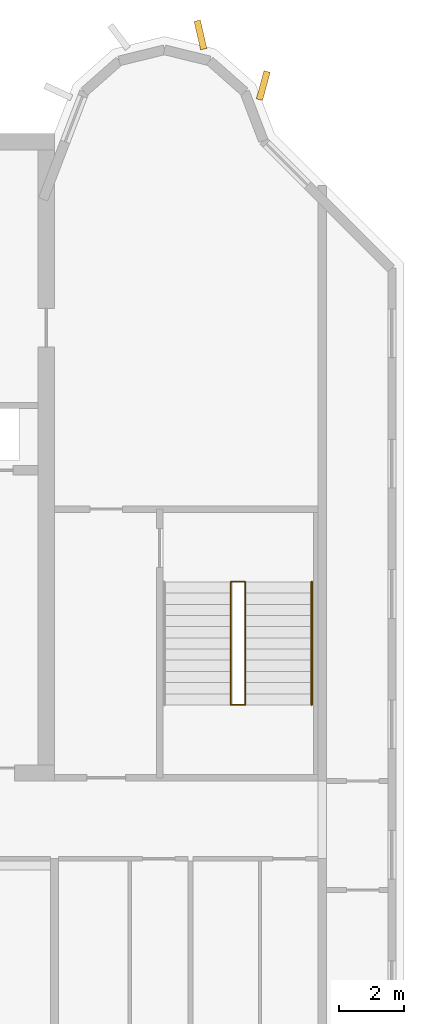
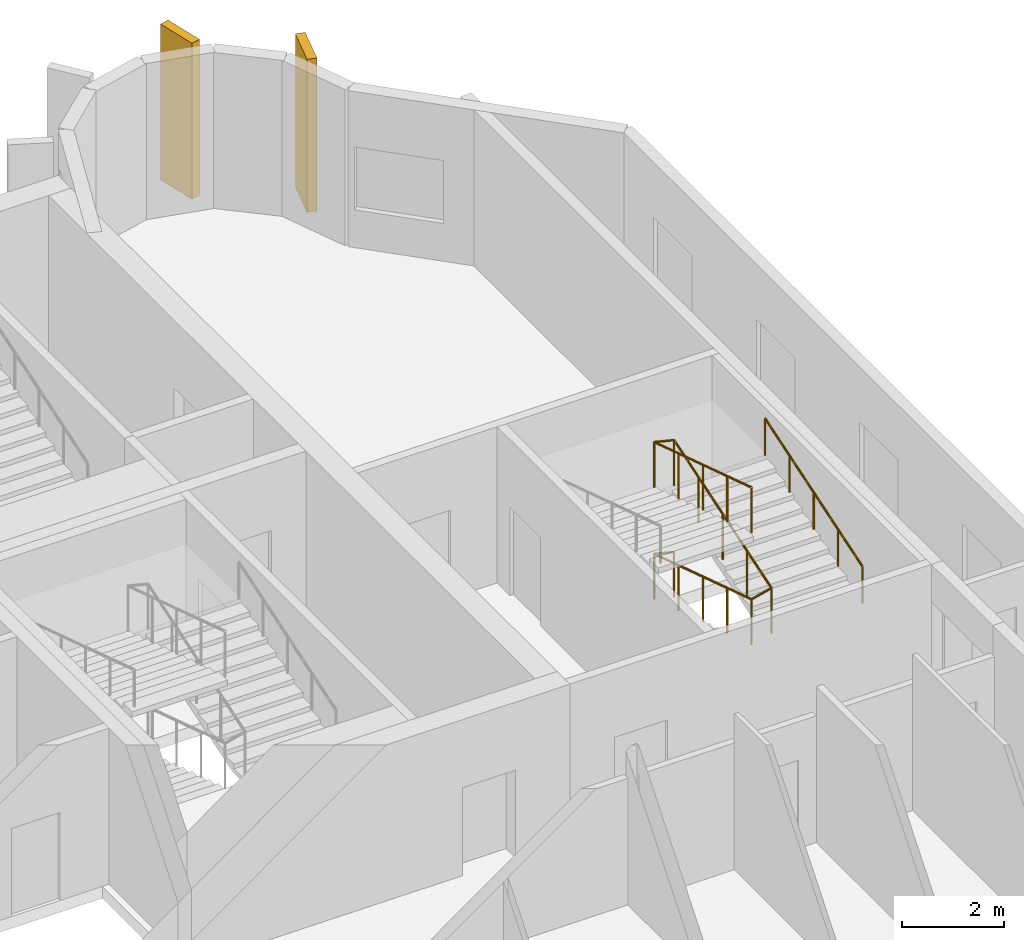
# One storey, part 11 of 12: 2 coverings, 2 railings.
"""IFC4 building model written with IfcOpenShell, lengths in metres."""

from ifc_helpers import new_model, si_unit, direction, frame, origin, origin_2d, place, context, subcontext, project, spatial, rectangle, circle, extrude, source, transform, mapped, material, material_profile, profile_set, type_object, element, save


model = new_model("IFC4")

# Units and contexts
model_context = context("Model", 3, precision=1e-05, world=origin(), true_north=direction((0.0, 1.0)))
body_context = subcontext(model_context, "Body", "Model", "MODEL_VIEW")
ifc_project = project(units=[si_unit("LENGTHUNIT", "METRE"), si_unit("AREAUNIT", "SQUARE_METRE"), si_unit("VOLUMEUNIT", "CUBIC_METRE"), si_unit("PLANEANGLEUNIT", "RADIAN"), si_unit("MASSUNIT", "GRAM", prefix="KILO")], contexts=[model_context])

# Site, building, storey
site_placement = place(None, origin())
site = spatial("IfcSite", under=ifc_project, at=site_placement, CompositionType="ELEMENT")
building_placement = place(site_placement, origin())
building = spatial("IfcBuilding", under=site, at=building_placement, Name="Vanashikhar Sky Hotel", CompositionType="ELEMENT")
storey_placement = place(building_placement, frame((0.0, 0.0, 309.699951171875)))
storey = spatial("IfcBuildingStorey", under=building, at=storey_placement, Name="L74", CompositionType="ELEMENT", Elevation=309.699951171875)

# Coverings
ifc_material_1 = material(Name="Concrete M60 dark", Category="concrete")
ifc_material_profile = material_profile(ifc_material_1, rectangle(XDim=0.89990234375, YDim=0.199951171875, at=origin_2d()))
ifc_profile_set = profile_set([ifc_material_profile], Name="Crown fin 900 x 200")
covering_type = type_object("IfcCoveringType", Name="Crown fin 900 x 200", PredefinedType="CLADDING", material=ifc_profile_set)
shared_shape_1 = source(origin(), body_context, "Body", "SweptSolid", [
    extrude(rectangle(XDim=0.89990234375, YDim=0.199951171875, at=origin_2d()), origin(), (0.0, 0.0, 1.0), 3.719970703125),
])
covering_1_placement = place(storey_placement, frame((80.1123046875, 45.048095703125, 0.0), z_axis=(0.0, 0.0, 1.0), x_axis=(-0.224644935864, 0.974440687159, 0.0)))
element("IfcCovering", 1, at=covering_1_placement, inside=storey, type_object=covering_type, Name="Fin R2-3", PredefinedType="CLADDING", context=body_context, shape_type="MappedRepresentation", body=[
    mapped(shared_shape_1, transform((0.0, 0.0, 0.0), scale=1.0)),
])
shared_shape_2 = source(origin(), body_context, "Body", "SweptSolid", [
    extrude(rectangle(XDim=0.89990234375, YDim=0.199951171875, at=origin_2d()), origin(), (0.0, 0.0, 1.0), 3.650146484375),
])
covering_2_placement = place(storey_placement, frame((82.052978515625, 43.483642578125, 0.0), z_axis=(0.0, 0.0, 1.0), x_axis=(0.262711264409, 0.964874495234, 0.0)))
element("IfcCovering", 2, at=covering_2_placement, inside=storey, type_object=covering_type, Name="Fin R2-4", PredefinedType="CLADDING", context=body_context, shape_type="MappedRepresentation", body=[
    mapped(shared_shape_2, transform((0.0, 0.0, 0.0), scale=1.0)),
])

# Railings
ifc_material_2 = material(Name="Steel S355", Category="steel")
railing_type_1 = type_object("IfcRailingType", Name="Stair guard 1100", PredefinedType="GUARDRAIL", material=ifc_material_2)
shared_shape_3 = source(origin(), body_context, "Body", "SweptSolid", [
    extrude(circle(Radius=0.02392578125, at=origin_2d()), frame((0.0, 0.0, 1.076171875), z_axis=(-0.970851010584, 0.0, 0.239683781777), x_axis=(0.0, -1.0, 0.0)), (0.0, 0.0, 1.0), 0.46337890625),
    extrude(circle(Radius=0.02392578125, at=origin_2d()), frame((-0.449951171875, 0.0, 1.18701171875), z_axis=(0.0, -0.951952165375, 0.306246754821), x_axis=(1.0, 0.0, 0.0)), (0.0, 0.0, 1.0), 3.99169921875),
    extrude(circle(Radius=0.02392578125, at=origin_2d()), frame((-0.449951171875, -3.7998046875, 2.40966796875), z_axis=(0.970851010584, 0.0, 0.239683781777), x_axis=(0.0, 1.0, 0.0)), (0.0, 0.0, 1.0), 0.46337890625),
    extrude(circle(Radius=0.02392578125, at=origin_2d()), frame((0.0, -3.7998046875, 2.5205078125), z_axis=(0.0, 0.951969995293, 0.306191325908), x_axis=(-1.0, 0.0, 0.0)), (0.0, 0.0, 1.0), 3.991455078125),
    extrude(circle(Radius=0.02392578125, at=origin_2d()), frame((0.0, 0.0, 3.74267578125), z_axis=(-0.970851010584, 0.0, 0.239683781777), x_axis=(0.0, -1.0, 0.0)), (0.0, 0.0, 1.0), 0.46337890625),
    extrude(circle(Radius=0.02392578125, at=origin_2d()), frame((-0.449951171875, 0.0, 3.85400390625), z_axis=(0.0, -0.951969995293, 0.306191325908), x_axis=(1.0, 0.0, 0.0)), (0.0, 0.0, 1.0), 3.991455078125),
    extrude(circle(Radius=0.02099609375, at=origin_2d()), origin(), (0.0, 0.0, 1.0), 1.052001953125),
    extrude(circle(Radius=0.02099609375, at=origin_2d()), frame((-0.449951171875, 0.0, 0.111083984375)), (0.0, 0.0, 1.0), 1.052001953125),
    extrude(circle(Radius=0.02099609375, at=origin_2d()), frame((-0.449951171875, -0.949951171875, 0.416748046875)), (0.0, 0.0, 1.0), 1.052001953125),
    extrude(circle(Radius=0.02099609375, at=origin_2d()), frame((-0.449951171875, -1.89990234375, 0.72216796875)), (0.0, 0.0, 1.0), 1.052001953125),
    extrude(circle(Radius=0.02099609375, at=origin_2d()), frame((-0.449951171875, -2.849853515625, 1.02783203125)), (0.0, 0.0, 1.0), 1.052001953125),
    extrude(circle(Radius=0.02099609375, at=origin_2d()), frame((-0.449951171875, -3.7998046875, 1.33349609375)), (0.0, 0.0, 1.0), 1.052001953125),
    extrude(circle(Radius=0.02099609375, at=origin_2d()), frame((0.0, -3.7998046875, 1.444580078125)), (0.0, 0.0, 1.0), 1.052001953125),
    extrude(circle(Radius=0.02099609375, at=origin_2d()), frame((0.0, -2.849853515625, 1.75)), (0.0, 0.0, 1.0), 1.052001953125),
    extrude(circle(Radius=0.02099609375, at=origin_2d()), frame((0.0, -1.89990234375, 2.0556640625)), (0.0, 0.0, 1.0), 1.052001953125),
    extrude(circle(Radius=0.02099609375, at=origin_2d()), frame((0.0, -0.949951171875, 2.361328125)), (0.0, 0.0, 1.0), 1.052001953125),
    extrude(circle(Radius=0.02099609375, at=origin_2d()), frame((0.0, 0.0, 2.666748046875)), (0.0, 0.0, 1.0), 1.052001953125),
    extrude(circle(Radius=0.02099609375, at=origin_2d()), frame((-0.449951171875, 0.0, 2.77783203125)), (0.0, 0.0, 1.0), 1.052001953125),
    extrude(circle(Radius=0.02099609375, at=origin_2d()), frame((-0.449951171875, -0.949951171875, 3.08349609375)), (0.0, 0.0, 1.0), 1.052001953125),
    extrude(circle(Radius=0.02099609375, at=origin_2d()), frame((-0.449951171875, -1.89990234375, 3.388916015625)), (0.0, 0.0, 1.0), 1.052001953125),
    extrude(circle(Radius=0.02099609375, at=origin_2d()), frame((-0.449951171875, -2.849853515625, 3.6943359375)), (0.0, 0.0, 1.0), 1.052001953125),
    extrude(circle(Radius=0.02099609375, at=origin_2d()), frame((-0.449951171875, -3.7998046875, 4.0)), (0.0, 0.0, 1.0), 1.052001953125),
])
railing_1_placement = place(storey_placement, frame((81.5, 28.14990234375, 0.0)))
element("IfcRailing", 3, at=railing_1_placement, inside=storey, type_object=railing_type_1, Name="Exit stair 4 guard", PredefinedType="GUARDRAIL", context=body_context, shape_type="MappedRepresentation", body=[
    mapped(shared_shape_3, transform((0.0, 0.0, 0.0), scale=1.0)),
])
railing_type_2 = type_object("IfcRailingType", Name="Stair handrail 900", PredefinedType="HANDRAIL", material=ifc_material_2)
shared_shape_4 = source(origin(), body_context, "Body", "SweptSolid", [
    extrude(circle(Radius=0.02392578125, at=origin_2d()), frame((0.0, 0.0, 0.8759765625), z_axis=(0.0, 0.951969995293, 0.306191325908), x_axis=(-1.0, 0.0, 0.0)), (0.0, 0.0, 1.0), 3.991455078125),
    extrude(circle(Radius=0.02099609375, at=origin_2d()), origin(), (0.0, 0.0, 1.0), 0.851806640625),
    extrude(circle(Radius=0.02099609375, at=origin_2d()), frame((0.0, 0.949951171875, 0.3056640625)), (0.0, 0.0, 1.0), 0.851806640625),
    extrude(circle(Radius=0.02099609375, at=origin_2d()), frame((0.0, 1.89990234375, 0.611083984375)), (0.0, 0.0, 1.0), 0.851806640625),
    extrude(circle(Radius=0.02099609375, at=origin_2d()), frame((0.0, 2.849853515625, 0.91650390625)), (0.0, 0.0, 1.0), 0.851806640625),
    extrude(circle(Radius=0.02099609375, at=origin_2d()), frame((0.0, 3.7998046875, 1.22216796875)), (0.0, 0.0, 1.0), 0.851806640625),
])
railing_2_placement = place(storey_placement, frame((83.550048828125, 24.35009765625, 1.444580078125)))
element("IfcRailing", 4, at=railing_2_placement, inside=storey, type_object=railing_type_2, Name="Exit stair 4 handrail", PredefinedType="HANDRAIL", context=body_context, shape_type="MappedRepresentation", body=[
    mapped(shared_shape_4, transform((0.0, 0.0, 0.0), scale=1.0)),
])

save(model, "model.ifc")
